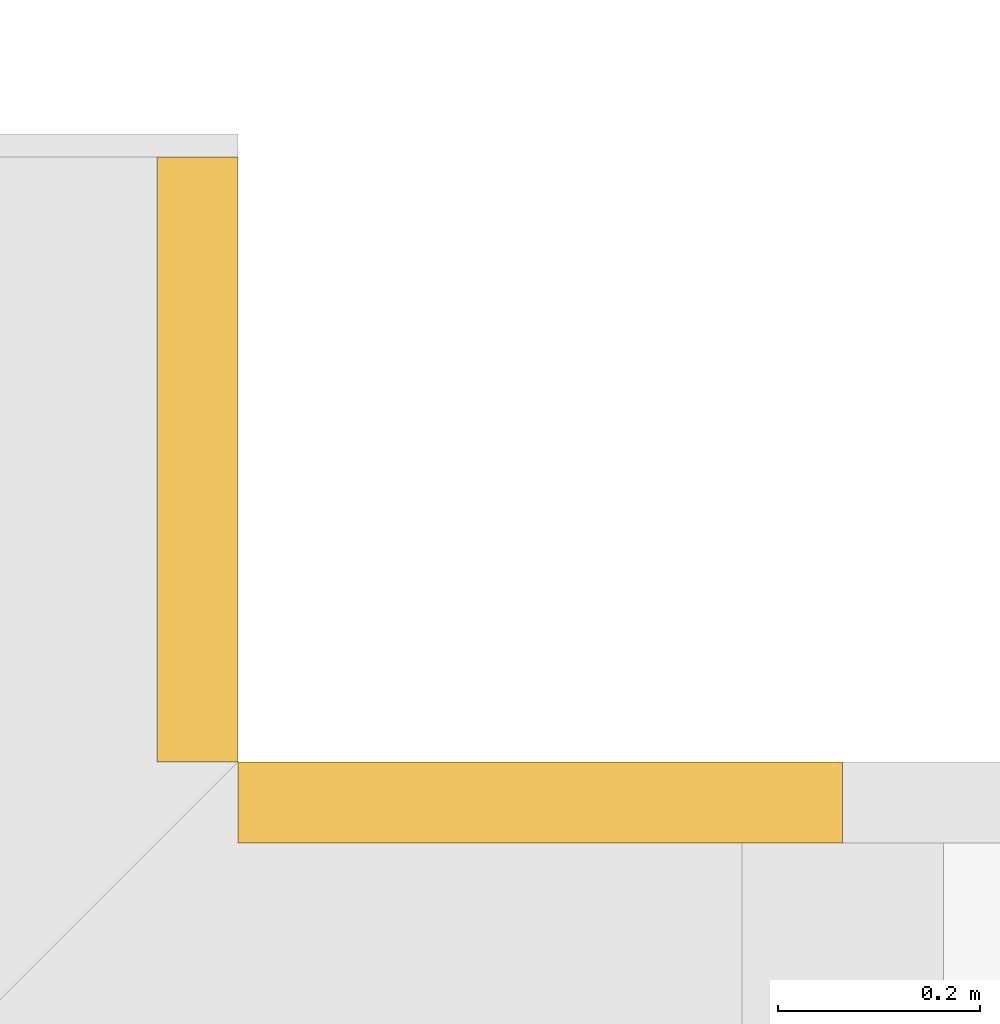
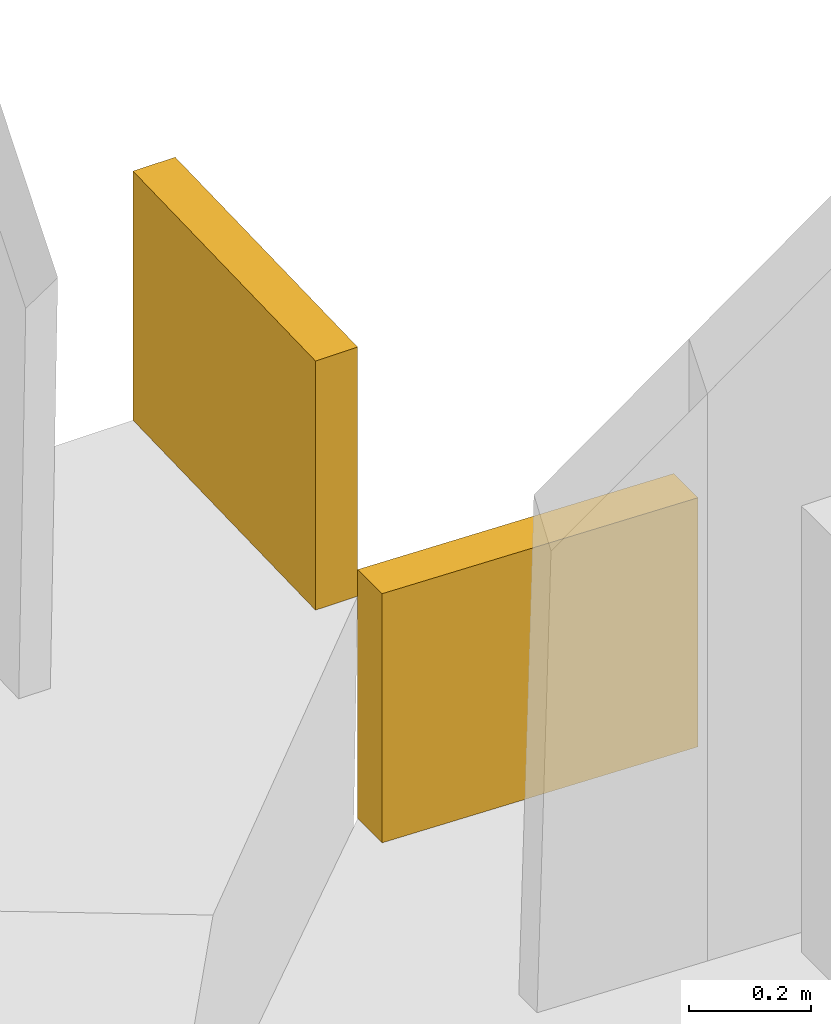
# One storey, part 27 of 27: 2 coverings.
"""IFC4 building model written with IfcOpenShell, lengths in metres."""

from ifc_helpers import new_model, si_unit, direction, frame, origin, place, context, subcontext, project, spatial, polyline, outline, extrude, material, layer, layer_set, type_object, element, save


model = new_model("IFC4")

# Units and contexts
model_context = context("Model", 3, precision=1e-05, world=origin(), true_north=direction((0.0, 1.0)))
body_context = subcontext(model_context, "Body", "Model", "MODEL_VIEW")
ifc_project = project(units=[si_unit("LENGTHUNIT", "METRE"), si_unit("AREAUNIT", "SQUARE_METRE"), si_unit("VOLUMEUNIT", "CUBIC_METRE"), si_unit("PLANEANGLEUNIT", "RADIAN"), si_unit("MASSUNIT", "GRAM", prefix="KILO")], contexts=[model_context])

# Site, building, storey
site_placement = place(None, origin())
site = spatial("IfcSite", under=ifc_project, at=site_placement, CompositionType="ELEMENT")
building_placement = place(site_placement, origin())
building = spatial("IfcBuilding", under=site, at=building_placement, Name="Saffron Gate Tower", CompositionType="ELEMENT")
storey_placement = place(building_placement, frame((0.0, 0.0, 134.85009765625)))
storey = spatial("IfcBuildingStorey", under=building, at=storey_placement, Name="L32", CompositionType="ELEMENT", Elevation=134.85009765625)

# Coverings
ifc_material = material(Name="Timber, thermally modified ash", Category="wood")
ifc_layer = layer(ifc_material, 0.080078125)
ifc_layer_set = layer_set([ifc_layer], Name="LD2 ledge planter trough")
covering_type = type_object("IfcCoveringType", Name="LD2 ledge planter trough", PredefinedType="CLADDING", material=ifc_layer_set)
covering_1_placement = place(storey_placement, frame((125.39990234375, 73.199951171875, 3.024658203125), z_axis=(0.0, 1.0, 0.0), x_axis=(-0.999582742162, 0.0, 0.028884971385)))
element("IfcCovering", 1, at=covering_1_placement, inside=storey, type_object=covering_type, Name="LEDGE planter trough", PredefinedType="CLADDING", context=body_context, shape_type="SweptSolid", body=[
    extrude(outline(polyline([(0.0, 0.0), (0.6001039136866089, 0.0), (0.614546399379222, 0.4997913710809928), (0.014442485692613144, 0.49979137108099286), (0.0, 0.0)])), origin(), (0.0, 0.0, -1.0), 0.080078125),
])
covering_2_placement = place(storey_placement, frame((124.800048828125, 73.199951171875, 3.488525390625), z_axis=(1.0, 0.0, 0.0), x_axis=(0.0, 0.999583081391, 0.028873229772)))
element("IfcCovering", 2, at=covering_2_placement, inside=storey, type_object=covering_type, Name="LEDGE planter trough", PredefinedType="CLADDING", context=body_context, shape_type="SweptSolid", body=[
    extrude(outline(polyline([(0.0, 0.0), (0.6003479524834376, -3.469446951953614e-18), (0.6147845673692678, 0.4997915406953566), (0.014436614885830073, 0.4997915406953566), (0.0, 0.0)])), origin(), (0.0, 0.0, -1.0), 0.080078125),
])

save(model, "model.ifc")
